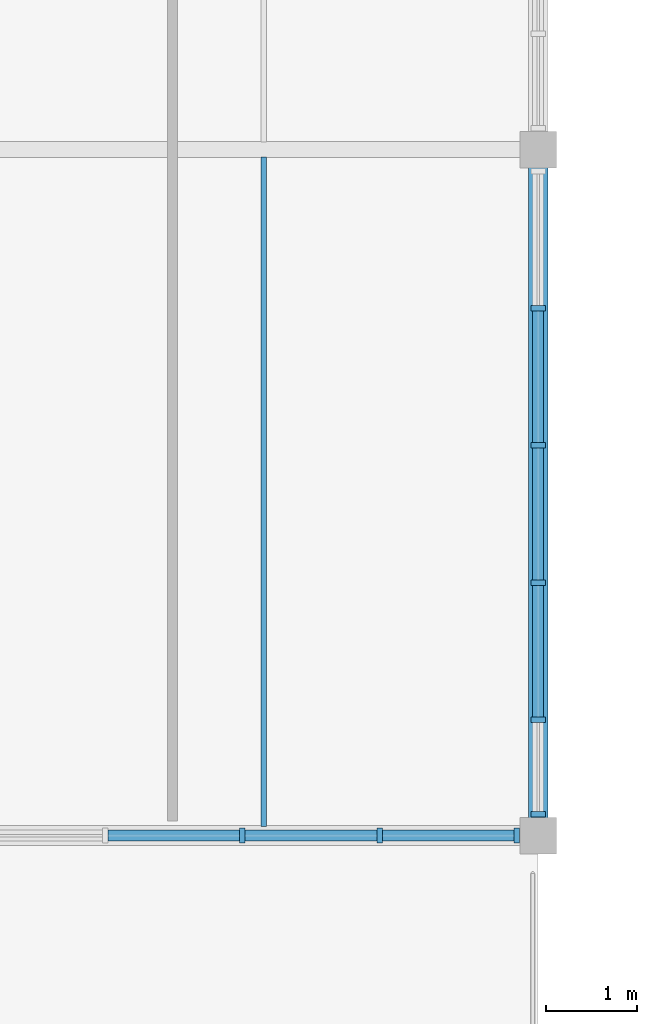
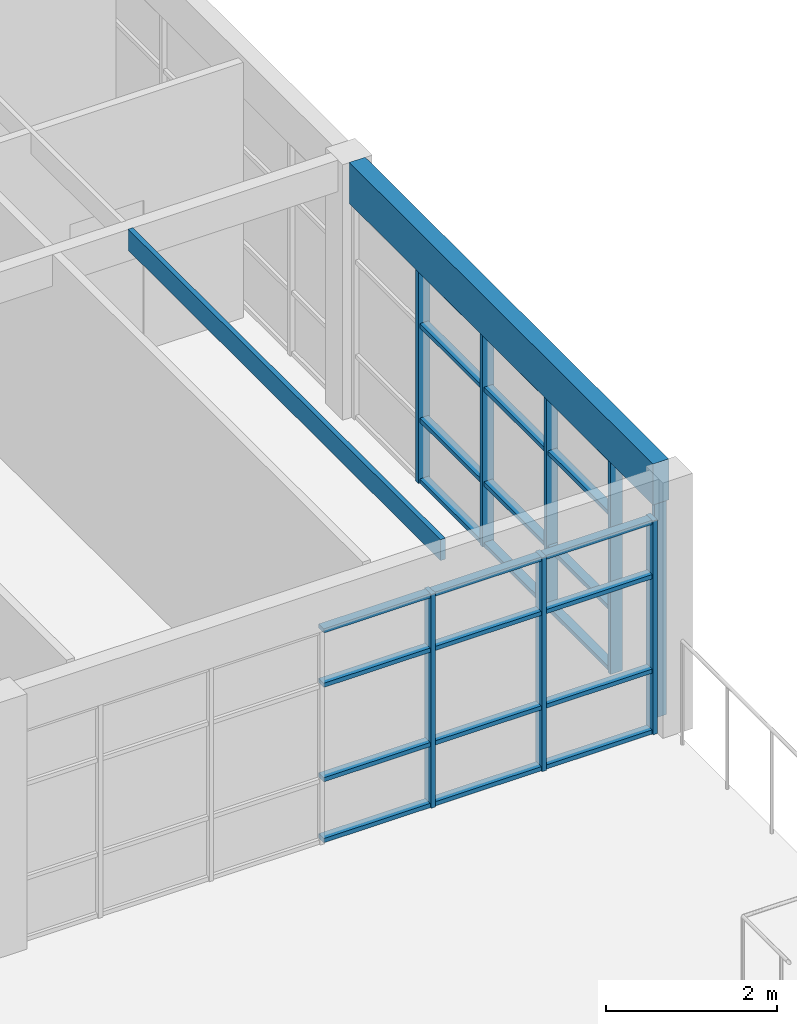
# One storey, part 14 of 45: 32 members, 2 beams, 2 elements without a shape of their own.
"""IFC4 building model written with IfcOpenShell, lengths in metres."""

from ifc_helpers import new_model, si_unit, direction, frame, origin, origin_2d, place, context, subcontext, project, spatial, rectangle, extrude, material, layer, layer_set, material_profile, profile_set, type_object, element, aggregate, save


model = new_model("IFC4")

# Units and contexts
model_context = context("Model", 3, precision=1e-05, world=origin(), true_north=direction((0.0, 1.0)))
body_context = subcontext(model_context, "Body", "Model", "MODEL_VIEW")
ifc_project = project(units=[si_unit("LENGTHUNIT", "METRE"), si_unit("AREAUNIT", "SQUARE_METRE"), si_unit("VOLUMEUNIT", "CUBIC_METRE"), si_unit("PLANEANGLEUNIT", "RADIAN"), si_unit("MASSUNIT", "GRAM", prefix="KILO")], contexts=[model_context])

# Site, building, storey
site_placement = place(None, origin())
site = spatial("IfcSite", under=ifc_project, at=site_placement, CompositionType="ELEMENT")
building_placement = place(site_placement, origin())
building = spatial("IfcBuilding", under=site, at=building_placement, Name="Marnridge Secondary College", CompositionType="ELEMENT")
storey_placement = place(building_placement, frame((0.0, 0.0, 12.300048828125)))
storey = spatial("IfcBuildingStorey", under=building, at=storey_placement, Name="L03", CompositionType="ELEMENT", Elevation=12.300048828125)

# Beams
ifc_material_1 = material(Name="Glulam timber GL18", Category="wood")
ifc_material_profile_1 = material_profile(ifc_material_1, rectangle(XDim=0.215087890625, YDim=0.5849609375, at=origin_2d()), Name="GL18 215x585")
ifc_profile_set_1 = profile_set([ifc_material_profile_1], Name="Glulam timber GL18")
beam_type_1 = type_object("IfcBeamType", Name="BM-GL585-EXT", PredefinedType="SPANDREL", material=ifc_profile_set_1)
beam_1_placement = place(storey_placement, frame((36.0, 90.194091796875, 3.357421875), z_axis=(0.0, 1.0, 0.0), x_axis=(-1.0, 0.0, 0.0)))
element("IfcBeam", 1, at=beam_1_placement, inside=storey, type_object=beam_type_1, Name="Beam BRF-L03-1344", PredefinedType="SPANDREL", context=body_context, shape_type="SweptSolid", body=[
    extrude(rectangle(XDim=0.215087890625, YDim=0.5849609375, at=origin_2d()), origin(), (0.0, 0.0, 1.0), 7.11181640625),
])
ifc_material_2 = material(Name="Engineered timber LVL E13.2", Category="wood")
ifc_material_profile_2 = material_profile(ifc_material_2, rectangle(XDim=0.06298828125, YDim=0.300048828125, at=origin_2d()), Name="LVL 63x300")
ifc_profile_set_2 = profile_set([ifc_material_profile_2], Name="Engineered timber LVL E13.2")
beam_type_2 = type_object("IfcBeamType", Name="BM-LVL300-INT", PredefinedType="JOIST", material=ifc_profile_set_2)
beam_2_placement = place(storey_placement, frame((33.0, 90.1015625, 3.5), z_axis=(0.0, 1.0, 0.0), x_axis=(-1.0, 0.0, 0.0)))
element("IfcBeam", 2, at=beam_2_placement, inside=storey, type_object=beam_type_2, Name="Beam BJ-L03-1374", PredefinedType="JOIST", context=body_context, shape_type="SweptSolid", body=[
    extrude(rectangle(XDim=0.06298828125, YDim=0.300048828125, at=origin_2d()), origin(), (0.0, 0.0, 1.0), 7.31689453125),
])

# Curtain wall, members
ifc_material_3 = material(Name="Thermally broken aluminium and low-E glazing", Category="aluminium")
ifc_layer = layer(ifc_material_3, 0.159912109375)
ifc_layer_set = layer_set([ifc_layer], Name="CW-MOD-1500")
curtain_wall_type = type_object("IfcCurtainWallType", Name="CW-MOD-1500", PredefinedType="NOTDEFINED", material=ifc_layer_set)
curtain_wall_1_placement = place(storey_placement, origin())
curtain_wall_1 = element("IfcCurtainWall", 3, at=curtain_wall_1_placement, inside=storey, type_object=curtain_wall_type, Name="Unitised curtain wall CW-L03-121", PredefinedType="NOTDEFINED")
ifc_material_4 = material(Name="Anodised aluminium 6063-T6", Category="aluminium")
ifc_material_profile_3 = material_profile(ifc_material_4, rectangle(XDim=0.06005859375, YDim=0.159912109375, at=origin_2d()), Name="ALU 60x160")
ifc_profile_set_3 = profile_set([ifc_material_profile_3], Name="Anodised aluminium 6063-T6")
member_type_1 = type_object("IfcMemberType", Name="CWM-ALU160", PredefinedType="MULLION", material=ifc_profile_set_3)
member_1_placement = place(storey_placement, frame((36.0, 95.76611328125, 0.0), z_axis=(0.0, 0.0, 1.0), x_axis=(0.0, -1.0, 0.0)))
member_1 = element("IfcMember", 4, at=member_1_placement, type_object=member_type_1, Name="CW-L03-121 mullion 2", PredefinedType="MULLION", context=body_context, shape_type="SweptSolid", body=[
    extrude(rectangle(XDim=0.06005859375, YDim=0.159912109375, at=origin_2d()), origin(), (0.0, 0.0, 1.0), 3.056884765625),
])
member_2_placement = place(storey_placement, frame((36.0, 94.26611328125, 0.0), z_axis=(0.0, 0.0, 1.0), x_axis=(0.0, -1.0, 0.0)))
member_2 = element("IfcMember", 5, at=member_2_placement, type_object=member_type_1, Name="CW-L03-121 mullion 3", PredefinedType="MULLION", context=body_context, shape_type="SweptSolid", body=[
    extrude(rectangle(XDim=0.06005859375, YDim=0.159912109375, at=origin_2d()), origin(), (0.0, 0.0, 1.0), 3.056884765625),
])
member_3_placement = place(storey_placement, frame((36.0, 92.76611328125, 0.0), z_axis=(0.0, 0.0, 1.0), x_axis=(0.0, -1.0, 0.0)))
member_3 = element("IfcMember", 6, at=member_3_placement, type_object=member_type_1, Name="CW-L03-121 mullion 4", PredefinedType="MULLION", context=body_context, shape_type="SweptSolid", body=[
    extrude(rectangle(XDim=0.06005859375, YDim=0.159912109375, at=origin_2d()), origin(), (0.0, 0.0, 1.0), 3.056884765625),
])
member_4_placement = place(storey_placement, frame((36.0, 91.26611328125, 0.0), z_axis=(0.0, 0.0, 1.0), x_axis=(0.0, -1.0, 0.0)))
member_4 = element("IfcMember", 7, at=member_4_placement, type_object=member_type_1, Name="CW-L03-121 mullion 5", PredefinedType="MULLION", context=body_context, shape_type="SweptSolid", body=[
    extrude(rectangle(XDim=0.06005859375, YDim=0.159912109375, at=origin_2d()), origin(), (0.0, 0.0, 1.0), 3.056884765625),
])
member_5_placement = place(storey_placement, frame((36.0, 90.23388671875, 0.0), z_axis=(0.0, 0.0, 1.0), x_axis=(0.0, -1.0, 0.0)))
member_5 = element("IfcMember", 8, at=member_5_placement, type_object=member_type_1, Name="CW-L03-121 mullion 6", PredefinedType="MULLION", context=body_context, shape_type="SweptSolid", body=[
    extrude(rectangle(XDim=0.06005859375, YDim=0.159912109375, at=origin_2d()), origin(), (0.0, 0.0, 1.0), 3.056884765625),
])

curtain_wall_2_placement = place(storey_placement, origin())
curtain_wall_2 = element("IfcCurtainWall", 9, at=curtain_wall_2_placement, inside=storey, type_object=curtain_wall_type, Name="Unitised curtain wall CW-L03-122", PredefinedType="NOTDEFINED")
member_6_placement = place(storey_placement, frame((35.76611328125, 90.0, 0.0), z_axis=(0.0, 0.0, 1.0), x_axis=(-1.0, 0.0, 0.0)))
member_6 = element("IfcMember", 10, at=member_6_placement, type_object=member_type_1, Name="CW-L03-122 mullion 1", PredefinedType="MULLION", context=body_context, shape_type="SweptSolid", body=[
    extrude(rectangle(XDim=0.06005859375, YDim=0.159912109375, at=origin_2d()), origin(), (0.0, 0.0, 1.0), 3.056884765625),
])
member_7_placement = place(storey_placement, frame((34.26611328125, 90.0, 0.0), z_axis=(0.0, 0.0, 1.0), x_axis=(-1.0, 0.0, 0.0)))
member_7 = element("IfcMember", 11, at=member_7_placement, type_object=member_type_1, Name="CW-L03-122 mullion 2", PredefinedType="MULLION", context=body_context, shape_type="SweptSolid", body=[
    extrude(rectangle(XDim=0.06005859375, YDim=0.159912109375, at=origin_2d()), origin(), (0.0, 0.0, 1.0), 3.056884765625),
])
member_8_placement = place(storey_placement, frame((32.76611328125, 90.0, 0.0), z_axis=(0.0, 0.0, 1.0), x_axis=(-1.0, 0.0, 0.0)))
member_8 = element("IfcMember", 12, at=member_8_placement, type_object=member_type_1, Name="CW-L03-122 mullion 3", PredefinedType="MULLION", context=body_context, shape_type="SweptSolid", body=[
    extrude(rectangle(XDim=0.06005859375, YDim=0.159912109375, at=origin_2d()), origin(), (0.0, 0.0, 1.0), 3.056884765625),
])

# Member
ifc_material_5 = material(Name="Anodised aluminium 6063-T6", Category="aluminium")
ifc_material_profile_4 = material_profile(ifc_material_5, rectangle(XDim=0.06005859375, YDim=0.1201171875, at=origin_2d()), Name="ALU 60x120")
ifc_profile_set_4 = profile_set([ifc_material_profile_4], Name="Anodised aluminium 6063-T6")
member_type_2 = type_object("IfcMemberType", Name="CWT-ALU120", PredefinedType="USERDEFINED", material=ifc_profile_set_4)
member_9_placement = place(storey_placement, frame((36.0, 95.736083984375, 0.030029296875), z_axis=(0.0, -1.0, 0.0), x_axis=(0.0, 0.0, 1.0)))
member_9 = element("IfcMember", 13, at=member_9_placement, type_object=member_type_2, Name="CW-L03-121 transom 2.1", ObjectType="TRANSOM", PredefinedType="USERDEFINED", context=body_context, shape_type="SweptSolid", body=[
    extrude(rectangle(XDim=0.06005859375, YDim=0.1201171875, at=origin_2d()), origin(), (0.0, 0.0, 1.0), 1.440185546875),
])

member_10_placement = place(storey_placement, frame((36.0, 95.736083984375, 0.89990234375), z_axis=(0.0, -1.0, 0.0), x_axis=(0.0, 0.0, 1.0)))
member_10 = element("IfcMember", 14, at=member_10_placement, type_object=member_type_2, Name="CW-L03-121 transom 2.2", ObjectType="TRANSOM", PredefinedType="USERDEFINED", context=body_context, shape_type="SweptSolid", body=[
    extrude(rectangle(XDim=0.06005859375, YDim=0.1201171875, at=origin_2d()), origin(), (0.0, 0.0, 1.0), 1.440185546875),
])

member_11_placement = place(storey_placement, frame((36.0, 95.736083984375, 2.25), z_axis=(0.0, -1.0, 0.0), x_axis=(0.0, 0.0, 1.0)))
member_11 = element("IfcMember", 15, at=member_11_placement, type_object=member_type_2, Name="CW-L03-121 transom 2.3", ObjectType="TRANSOM", PredefinedType="USERDEFINED", context=body_context, shape_type="SweptSolid", body=[
    extrude(rectangle(XDim=0.06005859375, YDim=0.1201171875, at=origin_2d()), origin(), (0.0, 0.0, 1.0), 1.440185546875),
])

member_12_placement = place(storey_placement, frame((36.0, 95.736083984375, 3.02685546875), z_axis=(0.0, -1.0, 0.0), x_axis=(0.0, 0.0, 1.0)))
member_12 = element("IfcMember", 16, at=member_12_placement, type_object=member_type_2, Name="CW-L03-121 transom 2.4", ObjectType="TRANSOM", PredefinedType="USERDEFINED", context=body_context, shape_type="SweptSolid", body=[
    extrude(rectangle(XDim=0.06005859375, YDim=0.1201171875, at=origin_2d()), origin(), (0.0, 0.0, 1.0), 1.440185546875),
])

member_13_placement = place(storey_placement, frame((36.0, 94.236083984375, 0.030029296875), z_axis=(0.0, -1.0, 0.0), x_axis=(0.0, 0.0, 1.0)))
member_13 = element("IfcMember", 17, at=member_13_placement, type_object=member_type_2, Name="CW-L03-121 transom 3.1", ObjectType="TRANSOM", PredefinedType="USERDEFINED", context=body_context, shape_type="SweptSolid", body=[
    extrude(rectangle(XDim=0.06005859375, YDim=0.1201171875, at=origin_2d()), origin(), (0.0, 0.0, 1.0), 1.440185546875),
])

member_14_placement = place(storey_placement, frame((36.0, 94.236083984375, 0.89990234375), z_axis=(0.0, -1.0, 0.0), x_axis=(0.0, 0.0, 1.0)))
member_14 = element("IfcMember", 18, at=member_14_placement, type_object=member_type_2, Name="CW-L03-121 transom 3.2", ObjectType="TRANSOM", PredefinedType="USERDEFINED", context=body_context, shape_type="SweptSolid", body=[
    extrude(rectangle(XDim=0.06005859375, YDim=0.1201171875, at=origin_2d()), origin(), (0.0, 0.0, 1.0), 1.440185546875),
])

member_15_placement = place(storey_placement, frame((36.0, 94.236083984375, 2.25), z_axis=(0.0, -1.0, 0.0), x_axis=(0.0, 0.0, 1.0)))
member_15 = element("IfcMember", 19, at=member_15_placement, type_object=member_type_2, Name="CW-L03-121 transom 3.3", ObjectType="TRANSOM", PredefinedType="USERDEFINED", context=body_context, shape_type="SweptSolid", body=[
    extrude(rectangle(XDim=0.06005859375, YDim=0.1201171875, at=origin_2d()), origin(), (0.0, 0.0, 1.0), 1.440185546875),
])

member_16_placement = place(storey_placement, frame((36.0, 94.236083984375, 3.02685546875), z_axis=(0.0, -1.0, 0.0), x_axis=(0.0, 0.0, 1.0)))
member_16 = element("IfcMember", 20, at=member_16_placement, type_object=member_type_2, Name="CW-L03-121 transom 3.4", ObjectType="TRANSOM", PredefinedType="USERDEFINED", context=body_context, shape_type="SweptSolid", body=[
    extrude(rectangle(XDim=0.06005859375, YDim=0.1201171875, at=origin_2d()), origin(), (0.0, 0.0, 1.0), 1.440185546875),
])

member_17_placement = place(storey_placement, frame((36.0, 92.736083984375, 0.030029296875), z_axis=(0.0, -1.0, 0.0), x_axis=(0.0, 0.0, 1.0)))
member_17 = element("IfcMember", 21, at=member_17_placement, type_object=member_type_2, Name="CW-L03-121 transom 4.1", ObjectType="TRANSOM", PredefinedType="USERDEFINED", context=body_context, shape_type="SweptSolid", body=[
    extrude(rectangle(XDim=0.06005859375, YDim=0.1201171875, at=origin_2d()), origin(), (0.0, 0.0, 1.0), 1.440185546875),
])

member_18_placement = place(storey_placement, frame((36.0, 92.736083984375, 0.89990234375), z_axis=(0.0, -1.0, 0.0), x_axis=(0.0, 0.0, 1.0)))
member_18 = element("IfcMember", 22, at=member_18_placement, type_object=member_type_2, Name="CW-L03-121 transom 4.2", ObjectType="TRANSOM", PredefinedType="USERDEFINED", context=body_context, shape_type="SweptSolid", body=[
    extrude(rectangle(XDim=0.06005859375, YDim=0.1201171875, at=origin_2d()), origin(), (0.0, 0.0, 1.0), 1.440185546875),
])

member_19_placement = place(storey_placement, frame((36.0, 92.736083984375, 2.25), z_axis=(0.0, -1.0, 0.0), x_axis=(0.0, 0.0, 1.0)))
member_19 = element("IfcMember", 23, at=member_19_placement, type_object=member_type_2, Name="CW-L03-121 transom 4.3", ObjectType="TRANSOM", PredefinedType="USERDEFINED", context=body_context, shape_type="SweptSolid", body=[
    extrude(rectangle(XDim=0.06005859375, YDim=0.1201171875, at=origin_2d()), origin(), (0.0, 0.0, 1.0), 1.440185546875),
])

member_20_placement = place(storey_placement, frame((36.0, 92.736083984375, 3.02685546875), z_axis=(0.0, -1.0, 0.0), x_axis=(0.0, 0.0, 1.0)))
member_20 = element("IfcMember", 24, at=member_20_placement, type_object=member_type_2, Name="CW-L03-121 transom 4.4", ObjectType="TRANSOM", PredefinedType="USERDEFINED", context=body_context, shape_type="SweptSolid", body=[
    extrude(rectangle(XDim=0.06005859375, YDim=0.1201171875, at=origin_2d()), origin(), (0.0, 0.0, 1.0), 1.440185546875),
])

aggregate(curtain_wall_1, [member_1, member_2, member_3, member_4, member_5, member_9, member_10, member_11, member_12, member_13, member_14, member_15, member_16, member_17, member_18, member_19, member_20])

member_21_placement = place(storey_placement, frame((35.736083984375, 90.0, 0.030029296875), z_axis=(-1.0, 0.0, 0.0), x_axis=(0.0, 0.0, 1.0)))
member_21 = element("IfcMember", 25, at=member_21_placement, type_object=member_type_2, Name="CW-L03-122 transom 1.1", ObjectType="TRANSOM", PredefinedType="USERDEFINED", context=body_context, shape_type="SweptSolid", body=[
    extrude(rectangle(XDim=0.06005859375, YDim=0.1201171875, at=origin_2d()), origin(), (0.0, 0.0, 1.0), 1.440185546875),
])

member_22_placement = place(storey_placement, frame((35.736083984375, 90.0, 0.89990234375), z_axis=(-1.0, 0.0, 0.0), x_axis=(0.0, 0.0, 1.0)))
member_22 = element("IfcMember", 26, at=member_22_placement, type_object=member_type_2, Name="CW-L03-122 transom 1.2", ObjectType="TRANSOM", PredefinedType="USERDEFINED", context=body_context, shape_type="SweptSolid", body=[
    extrude(rectangle(XDim=0.06005859375, YDim=0.1201171875, at=origin_2d()), origin(), (0.0, 0.0, 1.0), 1.440185546875),
])

member_23_placement = place(storey_placement, frame((35.736083984375, 90.0, 2.25), z_axis=(-1.0, 0.0, 0.0), x_axis=(0.0, 0.0, 1.0)))
member_23 = element("IfcMember", 27, at=member_23_placement, type_object=member_type_2, Name="CW-L03-122 transom 1.3", ObjectType="TRANSOM", PredefinedType="USERDEFINED", context=body_context, shape_type="SweptSolid", body=[
    extrude(rectangle(XDim=0.06005859375, YDim=0.1201171875, at=origin_2d()), origin(), (0.0, 0.0, 1.0), 1.440185546875),
])

member_24_placement = place(storey_placement, frame((35.736083984375, 90.0, 3.02685546875), z_axis=(-1.0, 0.0, 0.0), x_axis=(0.0, 0.0, 1.0)))
member_24 = element("IfcMember", 28, at=member_24_placement, type_object=member_type_2, Name="CW-L03-122 transom 1.4", ObjectType="TRANSOM", PredefinedType="USERDEFINED", context=body_context, shape_type="SweptSolid", body=[
    extrude(rectangle(XDim=0.06005859375, YDim=0.1201171875, at=origin_2d()), origin(), (0.0, 0.0, 1.0), 1.440185546875),
])

member_25_placement = place(storey_placement, frame((34.236083984375, 90.0, 0.030029296875), z_axis=(-1.0, 0.0, 0.0), x_axis=(0.0, 0.0, 1.0)))
member_25 = element("IfcMember", 29, at=member_25_placement, type_object=member_type_2, Name="CW-L03-122 transom 2.1", ObjectType="TRANSOM", PredefinedType="USERDEFINED", context=body_context, shape_type="SweptSolid", body=[
    extrude(rectangle(XDim=0.06005859375, YDim=0.1201171875, at=origin_2d()), origin(), (0.0, 0.0, 1.0), 1.440185546875),
])

member_26_placement = place(storey_placement, frame((34.236083984375, 90.0, 0.89990234375), z_axis=(-1.0, 0.0, 0.0), x_axis=(0.0, 0.0, 1.0)))
member_26 = element("IfcMember", 30, at=member_26_placement, type_object=member_type_2, Name="CW-L03-122 transom 2.2", ObjectType="TRANSOM", PredefinedType="USERDEFINED", context=body_context, shape_type="SweptSolid", body=[
    extrude(rectangle(XDim=0.06005859375, YDim=0.1201171875, at=origin_2d()), origin(), (0.0, 0.0, 1.0), 1.440185546875),
])

member_27_placement = place(storey_placement, frame((34.236083984375, 90.0, 2.25), z_axis=(-1.0, 0.0, 0.0), x_axis=(0.0, 0.0, 1.0)))
member_27 = element("IfcMember", 31, at=member_27_placement, type_object=member_type_2, Name="CW-L03-122 transom 2.3", ObjectType="TRANSOM", PredefinedType="USERDEFINED", context=body_context, shape_type="SweptSolid", body=[
    extrude(rectangle(XDim=0.06005859375, YDim=0.1201171875, at=origin_2d()), origin(), (0.0, 0.0, 1.0), 1.440185546875),
])

member_28_placement = place(storey_placement, frame((34.236083984375, 90.0, 3.02685546875), z_axis=(-1.0, 0.0, 0.0), x_axis=(0.0, 0.0, 1.0)))
member_28 = element("IfcMember", 32, at=member_28_placement, type_object=member_type_2, Name="CW-L03-122 transom 2.4", ObjectType="TRANSOM", PredefinedType="USERDEFINED", context=body_context, shape_type="SweptSolid", body=[
    extrude(rectangle(XDim=0.06005859375, YDim=0.1201171875, at=origin_2d()), origin(), (0.0, 0.0, 1.0), 1.440185546875),
])

member_29_placement = place(storey_placement, frame((32.736083984375, 90.0, 0.030029296875), z_axis=(-1.0, 0.0, 0.0), x_axis=(0.0, 0.0, 1.0)))
member_29 = element("IfcMember", 33, at=member_29_placement, type_object=member_type_2, Name="CW-L03-122 transom 3.1", ObjectType="TRANSOM", PredefinedType="USERDEFINED", context=body_context, shape_type="SweptSolid", body=[
    extrude(rectangle(XDim=0.06005859375, YDim=0.1201171875, at=origin_2d()), origin(), (0.0, 0.0, 1.0), 1.440185546875),
])

member_30_placement = place(storey_placement, frame((32.736083984375, 90.0, 0.89990234375), z_axis=(-1.0, 0.0, 0.0), x_axis=(0.0, 0.0, 1.0)))
member_30 = element("IfcMember", 34, at=member_30_placement, type_object=member_type_2, Name="CW-L03-122 transom 3.2", ObjectType="TRANSOM", PredefinedType="USERDEFINED", context=body_context, shape_type="SweptSolid", body=[
    extrude(rectangle(XDim=0.06005859375, YDim=0.1201171875, at=origin_2d()), origin(), (0.0, 0.0, 1.0), 1.440185546875),
])

member_31_placement = place(storey_placement, frame((32.736083984375, 90.0, 2.25), z_axis=(-1.0, 0.0, 0.0), x_axis=(0.0, 0.0, 1.0)))
member_31 = element("IfcMember", 35, at=member_31_placement, type_object=member_type_2, Name="CW-L03-122 transom 3.3", ObjectType="TRANSOM", PredefinedType="USERDEFINED", context=body_context, shape_type="SweptSolid", body=[
    extrude(rectangle(XDim=0.06005859375, YDim=0.1201171875, at=origin_2d()), origin(), (0.0, 0.0, 1.0), 1.440185546875),
])

member_32_placement = place(storey_placement, frame((32.736083984375, 90.0, 3.02685546875), z_axis=(-1.0, 0.0, 0.0), x_axis=(0.0, 0.0, 1.0)))
member_32 = element("IfcMember", 36, at=member_32_placement, type_object=member_type_2, Name="CW-L03-122 transom 3.4", ObjectType="TRANSOM", PredefinedType="USERDEFINED", context=body_context, shape_type="SweptSolid", body=[
    extrude(rectangle(XDim=0.06005859375, YDim=0.1201171875, at=origin_2d()), origin(), (0.0, 0.0, 1.0), 1.440185546875),
])

aggregate(curtain_wall_2, [member_6, member_7, member_8, member_21, member_22, member_23, member_24, member_25, member_26, member_27, member_28, member_29, member_30, member_31, member_32])

save(model, "model.ifc")
